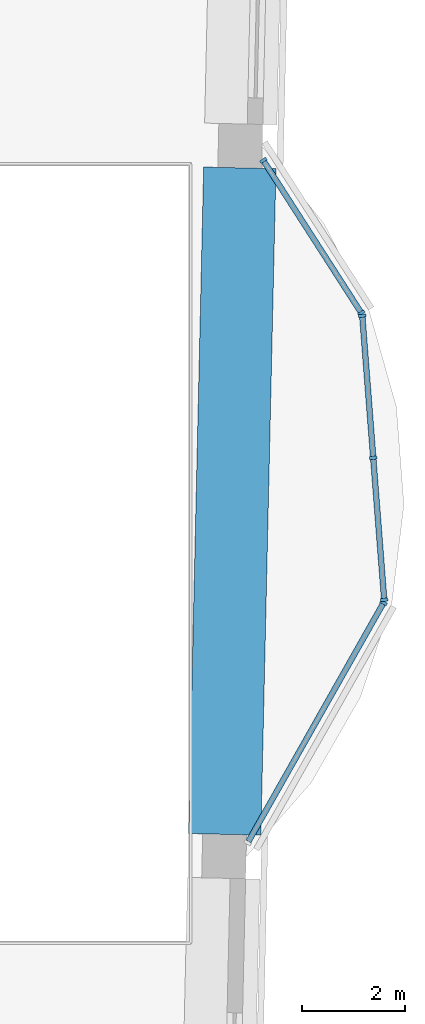
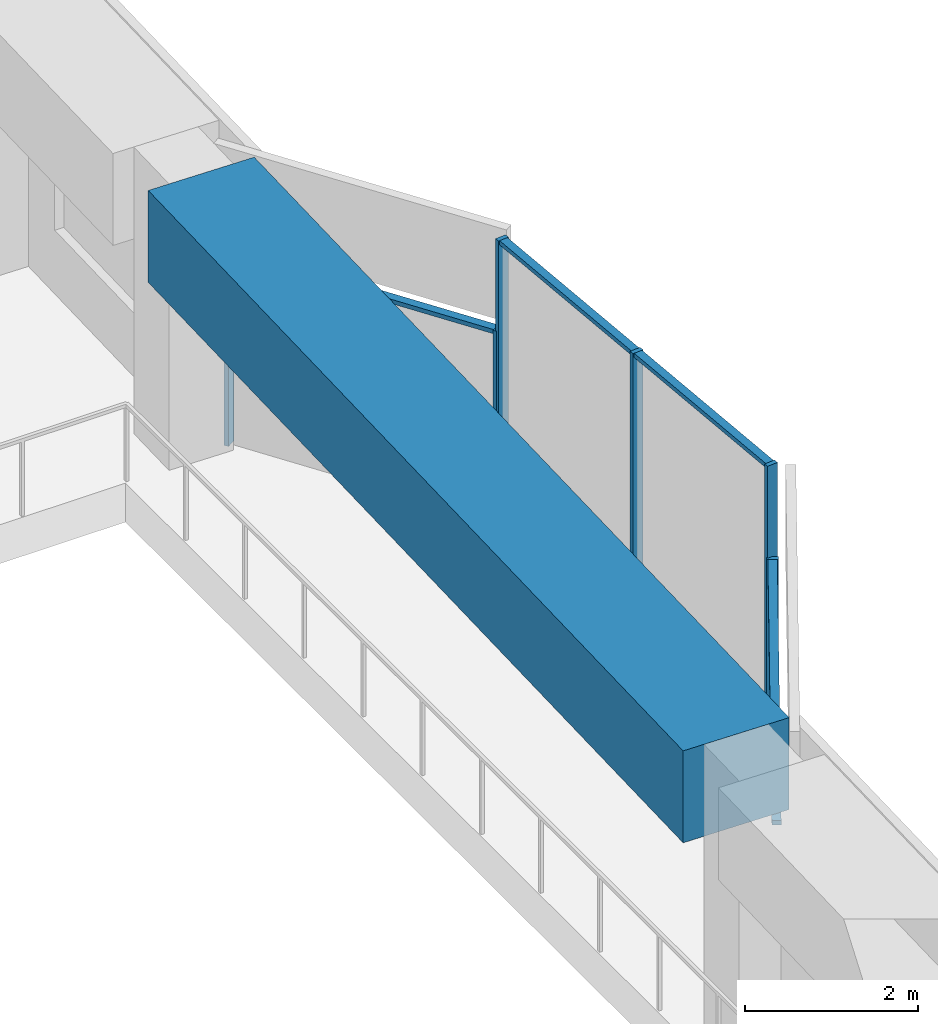
# One storey, part 4 of 17: 10 members, 1 beam, 3 elements without a shape of their own.
"""IFC4 building model written with IfcOpenShell, lengths in metres."""

from ifc_helpers import new_model, si_unit, direction, frame, origin, origin_2d, place, context, subcontext, project, spatial, rectangle, extrude, material, material_profile, profile_set, type_object, element, aggregate, save


model = new_model("IFC4")

# Units and contexts
model_context = context("Model", 3, precision=1e-05, world=origin(), true_north=direction((0.0, 1.0)))
body_context = subcontext(model_context, "Body", "Model", "MODEL_VIEW")
ifc_project = project(units=[si_unit("LENGTHUNIT", "METRE"), si_unit("AREAUNIT", "SQUARE_METRE"), si_unit("VOLUMEUNIT", "CUBIC_METRE"), si_unit("PLANEANGLEUNIT", "RADIAN"), si_unit("MASSUNIT", "GRAM", prefix="KILO")], contexts=[model_context])

# Site, building, storey
site_placement = place(None, origin())
site = spatial("IfcSite", under=ifc_project, at=site_placement, CompositionType="ELEMENT")
building_placement = place(site_placement, origin())
building = spatial("IfcBuilding", under=site, at=building_placement, Name="Mangrove Gate Tower", CompositionType="ELEMENT")
storey_placement = place(building_placement, frame((0.0, 0.0, 337.89990234375)))
storey = spatial("IfcBuildingStorey", under=building, at=storey_placement, Name="L86", CompositionType="ELEMENT", Elevation=337.89990234375)

# Curtain wall, member
ifc_material_1 = material(Name="Aluminium and glass curtain wall", Category="aluminium")
curtain_wall_type = type_object("IfcCurtainWallType", Name="Crown garden glazing wall", PredefinedType="NOTDEFINED", material=ifc_material_1)
curtain_wall_1_placement = place(storey_placement, origin())
curtain_wall_1 = element("IfcCurtainWall", 1, at=curtain_wall_1_placement, inside=storey, type_object=curtain_wall_type, Name="Crown garden glazing E1f1", PredefinedType="NOTDEFINED")
ifc_material_2 = material(Name="Aluminium alloy 6063-T6", Category="aluminium")
ifc_material_profile_1 = material_profile(ifc_material_2, rectangle(XDim=0.06005859375, YDim=0.139892578125, at=origin_2d()))
ifc_profile_set_1 = profile_set([ifc_material_profile_1], Name="Aluminium alloy 6063-T6")
member_type_1 = type_object("IfcMemberType", Name="Crown garden glazing mullion 60x140", PredefinedType="MULLION", material=ifc_profile_set_1)
member_1_placement = place(storey_placement, frame((29.396484375, -0.95361328125, 0.0), z_axis=(0.0, 0.0, 1.0), x_axis=(0.492565947646, 0.870275121568, 0.0)))
member_1 = element("IfcMember", 2, at=member_1_placement, type_object=member_type_1, Name="CWC mullion 2", PredefinedType="MULLION", context=body_context, shape_type="SweptSolid", body=[
    extrude(rectangle(XDim=0.06005859375, YDim=0.139892578125, at=origin_2d()), origin(), (0.0, 0.0, 1.0), 2.75),
])

# Curtain wall, members
curtain_wall_2_placement = place(storey_placement, origin())
curtain_wall_2 = element("IfcCurtainWall", 3, at=curtain_wall_2_placement, inside=storey, type_object=curtain_wall_type, Name="Crown garden glazing E1f2", PredefinedType="NOTDEFINED")
member_2_placement = place(storey_placement, frame((29.408935546875, -0.897705078125, 0.0), z_axis=(0.0, 0.0, 1.0), x_axis=(-0.077023348386, 0.997029289341, 0.0)))
member_2 = element("IfcMember", 4, at=member_2_placement, type_object=member_type_1, Name="CWC mullion 1", PredefinedType="MULLION", context=body_context, shape_type="SweptSolid", body=[
    extrude(rectangle(XDim=0.06005859375, YDim=0.139892578125, at=origin_2d()), origin(), (0.0, 0.0, 1.0), 4.050048828125),
])
member_3_placement = place(storey_placement, frame((29.196533203125, 1.850830078125, 0.0), z_axis=(0.0, 0.0, 1.0), x_axis=(-0.077023348386, 0.997029289341, 0.0)))
member_3 = element("IfcMember", 5, at=member_3_placement, type_object=member_type_1, Name="CWC mullion 2", PredefinedType="MULLION", context=body_context, shape_type="SweptSolid", body=[
    extrude(rectangle(XDim=0.06005859375, YDim=0.139892578125, at=origin_2d()), origin(), (0.0, 0.0, 1.0), 4.050048828125),
])
member_4_placement = place(storey_placement, frame((28.984130859375, 4.599365234375, 0.0), z_axis=(0.0, 0.0, 1.0), x_axis=(-0.077023348386, 0.997029289341, 0.0)))
member_4 = element("IfcMember", 6, at=member_4_placement, type_object=member_type_1, Name="CWC mullion 3", PredefinedType="MULLION", context=body_context, shape_type="SweptSolid", body=[
    extrude(rectangle(XDim=0.06005859375, YDim=0.139892578125, at=origin_2d()), origin(), (0.0, 0.0, 1.0), 4.050048828125),
])

curtain_wall_3_placement = place(storey_placement, origin())
curtain_wall_3 = element("IfcCurtainWall", 7, at=curtain_wall_3_placement, inside=storey, type_object=curtain_wall_type, Name="Crown garden glazing E1f3", PredefinedType="NOTDEFINED")
member_5_placement = place(storey_placement, frame((28.965576171875, 4.654541015625, 0.0), z_axis=(0.0, 0.0, 1.0), x_axis=(-0.540496498899, 0.841346263246, 0.0)))
member_5 = element("IfcMember", 8, at=member_5_placement, type_object=member_type_1, Name="CWC mullion 1", PredefinedType="MULLION", context=body_context, shape_type="SweptSolid", body=[
    extrude(rectangle(XDim=0.06005859375, YDim=0.139892578125, at=origin_2d()), origin(), (0.0, 0.0, 1.0), 2.75),
])
member_6_placement = place(storey_placement, frame((27.069580078125, 7.60595703125, 0.0), z_axis=(0.0, 0.0, 1.0), x_axis=(-0.540496498899, 0.841346263246, 0.0)))
member_6 = element("IfcMember", 9, at=member_6_placement, type_object=member_type_1, Name="CWC mullion 2", PredefinedType="MULLION", context=body_context, shape_type="SweptSolid", body=[
    extrude(rectangle(XDim=0.06005859375, YDim=0.139892578125, at=origin_2d()), origin(), (0.0, 0.0, 1.0), 2.75),
])

# Member
ifc_material_3 = material(Name="Aluminium alloy 6063-T6", Category="aluminium")
ifc_material_profile_2 = material_profile(ifc_material_3, rectangle(XDim=0.06005859375, YDim=0.110107421875, at=origin_2d()))
ifc_profile_set_2 = profile_set([ifc_material_profile_2], Name="Aluminium alloy 6063-T6")
member_type_2 = type_object("IfcMemberType", Name="Crown garden glazing transom 60x110", PredefinedType="USERDEFINED", material=ifc_profile_set_2)
member_7_placement = place(storey_placement, frame((26.7822265625, -5.57275390625, 2.72021484375), z_axis=(0.492532775623, 0.870293895726, 0.0), x_axis=(0.0, 0.0, 1.0)))
member_7 = element("IfcMember", 10, at=member_7_placement, type_object=member_type_2, Name="CWC transom 1.2", ObjectType="TRANSOM", PredefinedType="USERDEFINED", context=body_context, shape_type="SweptSolid", body=[
    extrude(rectangle(XDim=0.06005859375, YDim=0.110107421875, at=origin_2d()), origin(), (0.0, 0.0, 1.0), 5.277587890625),
])

aggregate(curtain_wall_1, [member_1, member_7])

member_8_placement = place(storey_placement, frame((29.406494140625, -0.86767578125, 4.02001953125), z_axis=(-0.076952650158, 0.997034748458, 0.0), x_axis=(0.0, 0.0, 1.0)))
member_8 = element("IfcMember", 11, at=member_8_placement, type_object=member_type_2, Name="CWC transom 1.2", ObjectType="TRANSOM", PredefinedType="USERDEFINED", context=body_context, shape_type="SweptSolid", body=[
    extrude(rectangle(XDim=0.06005859375, YDim=0.110107421875, at=origin_2d()), origin(), (0.0, 0.0, 1.0), 2.69677734375),
])

member_9_placement = place(storey_placement, frame((29.1943359375, 1.880859375, 4.02001953125), z_axis=(-0.077042645639, 0.997027798385, 0.0), x_axis=(0.0, 0.0, 1.0)))
member_9 = element("IfcMember", 12, at=member_9_placement, type_object=member_type_2, Name="CWC transom 2.2", ObjectType="TRANSOM", PredefinedType="USERDEFINED", context=body_context, shape_type="SweptSolid", body=[
    extrude(rectangle(XDim=0.06005859375, YDim=0.110107421875, at=origin_2d()), origin(), (0.0, 0.0, 1.0), 2.69677734375),
])

aggregate(curtain_wall_2, [member_2, member_3, member_4, member_8, member_9])

member_10_placement = place(storey_placement, frame((28.949462890625, 4.6796875, 2.72021484375), z_axis=(-0.540453376302, 0.841373964444, 0.0), x_axis=(0.0, 0.0, 1.0)))
member_10 = element("IfcMember", 13, at=member_10_placement, type_object=member_type_2, Name="CWC transom 1.2", ObjectType="TRANSOM", PredefinedType="USERDEFINED", context=body_context, shape_type="SweptSolid", body=[
    extrude(rectangle(XDim=0.06005859375, YDim=0.110107421875, at=origin_2d()), origin(), (0.0, 0.0, 1.0), 3.447998046875),
])

aggregate(curtain_wall_3, [member_5, member_6, member_10])

# Beam
ifc_material_4 = material(Name="Concrete C50/60", Category="concrete")
ifc_material_profile_3 = material_profile(ifc_material_4, rectangle(XDim=1.39990234375, YDim=1.300048828125, at=origin_2d()))
ifc_profile_set_3 = profile_set([ifc_material_profile_3], Name="Concrete C50/60")
beam_type = type_object("IfcBeamType", Name="Transfer girder RC 1400x1300 C50/60", PredefinedType="BEAM", material=ifc_profile_set_3)
beam_placement = place(storey_placement, frame((26.32177734375, -5.435546875, 3.400146484375), z_axis=(0.022690883298, 0.999742528762, 0.0), x_axis=(-0.999742528762, 0.022690883298, 0.0)))
element("IfcBeam", 14, at=beam_placement, inside=storey, type_object=beam_type, Name="Transfer ring girder L86 15", PredefinedType="BEAM", context=body_context, shape_type="SweptSolid", body=[
    extrude(rectangle(XDim=1.39990234375, YDim=1.300048828125, at=origin_2d()), origin(), (0.0, 0.0, 1.0), 12.900634765625),
])

save(model, "model.ifc")
